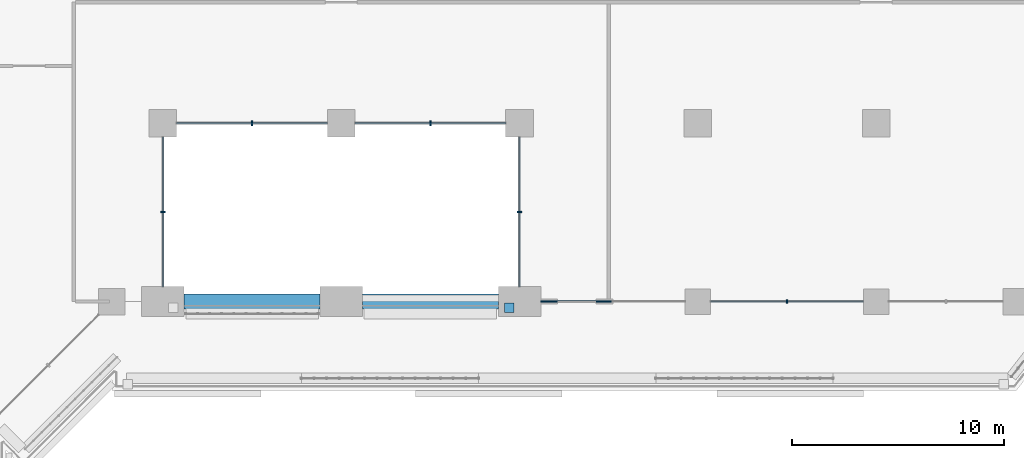
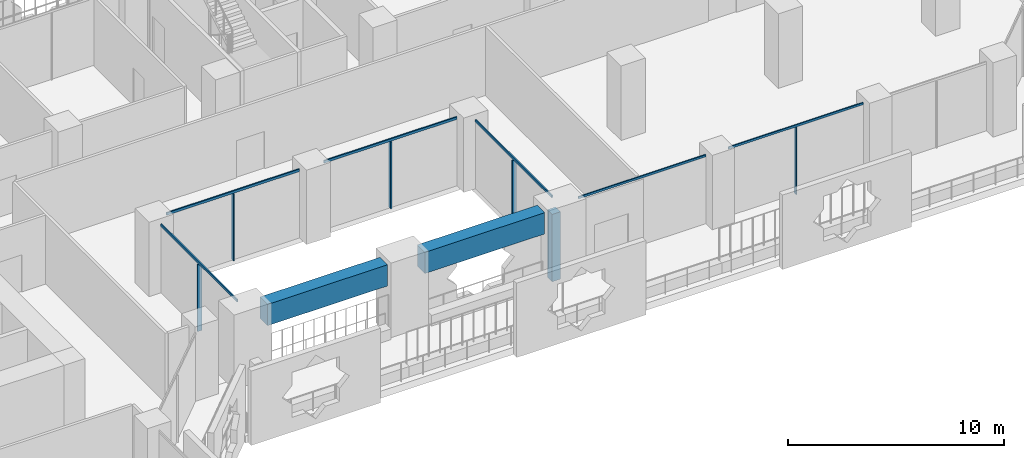
# One storey, part 5 of 27: 12 members, 2 beams, 5 elements without a shape of their own.
"""IFC4 building model written with IfcOpenShell, lengths in metres."""

import ifcopenshell
import ifcopenshell.guid

model = None  # the IFC model being written
_history = None  # IfcOwnerHistory: only IFC2X3 demands one
_inside = {}  # id of a spatial element -> (the spatial element, [elements in it])
_under = {}  # id of a project, library or spatial element -> (it, [spatial elements below it])
_declared = {}  # id of a project -> (the project, [libraries it declares])
_typed = {}  # id of a type object -> (the type object, [elements of that type])
_made_of = {}  # id of a material, layer set ... -> (it, [elements and type objects made of it])


def new_model(schema):
    """Start an empty IFC model of exactly this schema.

    Asked for "IFC4X3", IfcOpenShell would pick the latest addendum, in which some entities
    have other attributes; the version numbers below select the first issue.
    IFC2X3 requires an IfcOwnerHistory on every rooted entity: one is made here for all.
    """
    global model, _history
    if schema == "IFC4X3":
        model = ifcopenshell.file(schema_version=(4, 3, 0, 0))
    else:
        model = ifcopenshell.file(schema=schema)
    _inside.clear()
    _under.clear()
    _declared.clear()
    _typed.clear()
    _made_of.clear()
    _history = None
    if model.schema == "IFC2X3":
        org = make("IfcOrganization", Name="unknown")
        user = make(
            "IfcPersonAndOrganization",
            ThePerson=make("IfcPerson", FamilyName="unknown"),
            TheOrganization=org,
        )
        app = make(
            "IfcApplication",
            ApplicationDeveloper=org,
            Version="unknown",
            ApplicationFullName="unknown",
            ApplicationIdentifier="unknown",
        )
        _history = make(
            "IfcOwnerHistory",
            OwningUser=user,
            OwningApplication=app,
            ChangeAction="ADDED",
            CreationDate=0,
        )
    return model


def make(cls, **values):
    """One entity of the class cls with the attributes given. An attribute that is None is left unset."""
    return model.create_entity(
        cls, **{name: value for name, value in values.items() if value is not None}
    )


def rooted(cls, **values):
    """An entity with a GlobalId (a new one), such as an element, a storey or a relation."""
    return make(cls, GlobalId=ifcopenshell.guid.new(), OwnerHistory=_history, **values)


def si_unit(unit_type, name, prefix=None):
    """IfcSIUnit, for example si_unit("LENGTHUNIT", "METRE", prefix="MILLI")."""
    return make("IfcSIUnit", UnitType=unit_type, Prefix=prefix, Name=name)


def assignment(units):
    """IfcUnitAssignment: the units of a project."""
    return None if units is None else make("IfcUnitAssignment", Units=units)


def point(xyz):
    """IfcCartesianPoint."""
    return None if xyz is None else make("IfcCartesianPoint", Coordinates=xyz)


def direction(xyz):
    """IfcDirection."""
    return None if xyz is None else make("IfcDirection", DirectionRatios=xyz)


def frame(location, z_axis=None, x_axis=None):
    """IfcAxis2Placement3D, a coordinate frame: its origin and axes. An axis left out is left unset."""
    return make(
        "IfcAxis2Placement3D",
        Location=point(location),
        Axis=direction(z_axis),
        RefDirection=direction(x_axis),
    )


def frame_2d(location, x_axis=None):
    """IfcAxis2Placement2D, a coordinate frame in the plane: its origin and x axis."""
    return make(
        "IfcAxis2Placement2D", Location=point(location), RefDirection=direction(x_axis)
    )


def origin():
    """The frame at (0, 0, 0) with its axes left unset."""
    return frame((0.0, 0.0, 0.0))


def origin_2d():
    """The frame at (0, 0) in the plane with its x axis left unset."""
    return frame_2d((0.0, 0.0))


def place(relative_to, where):
    """IfcLocalPlacement: puts the frame where relative to a parent placement (None: the world)."""
    return make(
        "IfcLocalPlacement", PlacementRelTo=relative_to, RelativePlacement=where
    )


def context(
    kind, dimensions, precision=None, world=None, true_north=None, identifier=None
):
    """IfcGeometricRepresentationContext, for example the 3D "Model" context."""
    return make(
        "IfcGeometricRepresentationContext",
        ContextIdentifier=identifier,
        ContextType=kind,
        CoordinateSpaceDimension=dimensions,
        Precision=precision,
        WorldCoordinateSystem=world,
        TrueNorth=true_north,
    )


def subcontext(parent, identifier, kind, view, scale=None):
    """IfcGeometricRepresentationSubContext, for example "Body" below "Model"."""
    return make(
        "IfcGeometricRepresentationSubContext",
        ContextIdentifier=identifier,
        ContextType=kind,
        ParentContext=parent,
        TargetScale=scale,
        TargetView=view,
    )


def project(units=None, contexts=None):
    """IfcProject with its units and contexts."""
    return rooted(
        "IfcProject",
        Name="project",
        RepresentationContexts=contexts,
        UnitsInContext=assignment(units),
    )


def spatial(cls, under=None, at=None, **own):
    """A site, building, storey or space (cls), placed at a placement, below another one or the project."""
    s = rooted(cls, ObjectPlacement=at, **own)
    if under is not None:
        _under.setdefault(under.id(), (under, []))[1].append(s)
    return s


def profile(cls, at=None, kind="AREA", **sizes):
    """A parametric profile (cls). Its sizes go by their IFC names, for example OverallWidth=200.0."""
    return make(cls, ProfileType=kind, Position=at, **sizes)


def rectangle(**sizes):
    """IfcRectangleProfileDef."""
    return profile("IfcRectangleProfileDef", **sizes)


def extrude(swept, where, along, depth):
    """IfcExtrudedAreaSolid: the profile swept, set in the frame where, extruded along a direction by depth."""
    return make(
        "IfcExtrudedAreaSolid",
        SweptArea=swept,
        Position=where,
        ExtrudedDirection=direction(along),
        Depth=depth,
    )


def shape(context_of_items, identifier, shape_type, items):
    """IfcShapeRepresentation: the items that make up one representation, for example the "Body"."""
    return make(
        "IfcShapeRepresentation",
        ContextOfItems=context_of_items,
        RepresentationIdentifier=identifier,
        RepresentationType=shape_type,
        Items=items,
    )


def material(Name=None, Category=None):
    """IfcMaterial."""
    return make("IfcMaterial", Name=Name, Category=Category)


def layer(
    of_material, thickness, ventilated=None, Name=None, Category=None, Priority=None
):
    """IfcMaterialLayer: one layer of a wall or slab, of a material (None: an air gap)."""
    return make(
        "IfcMaterialLayer",
        Material=of_material,
        LayerThickness=thickness,
        IsVentilated=ventilated,
        Name=Name,
        Category=Category,
        Priority=Priority,
    )


def layer_set(layers, Name=None):
    """IfcMaterialLayerSet."""
    return make("IfcMaterialLayerSet", MaterialLayers=layers, LayerSetName=Name)


def material_profile(
    of_material, cross_section, Name=None, Category=None, Priority=None
):
    """IfcMaterialProfile: a cross section and its material."""
    return make(
        "IfcMaterialProfile",
        Name=Name,
        Material=of_material,
        Profile=cross_section,
        Priority=Priority,
        Category=Category,
    )


def profile_set(profiles, Name=None, composite=None):
    """IfcMaterialProfileSet."""
    return make(
        "IfcMaterialProfileSet",
        Name=Name,
        MaterialProfiles=profiles,
        CompositeProfile=composite,
    )


def made_of(thing, what):
    """Note that an element or type object is made of a material, layer set ...; save() writes the relation."""
    if what is not None:
        _made_of.setdefault(what.id(), (what, []))[1].append(thing)
    return thing


def type_object(cls, material=None, **own):
    """A type object (cls), such as IfcWallType, which elements share."""
    return made_of(rooted(cls, **own), material)


def element(
    cls,
    number,
    at=None,
    inside=None,
    cuts=None,
    type_object=None,
    material=None,
    context=None,
    identifier="Body",
    shape_type=None,
    held_by="IfcProductDefinitionShape",
    body=None,
    shapes=None,
    **own,
):
    """One element of the class cls, such as IfcWall. Its Tag is "e" and its number.

    at: its placement. inside: the storey or other place that contains it. cuts: it is an
    opening in that element (IfcRelVoidsElement). A single representation is given by context,
    identifier, shape_type and body (its items); several are given by shapes. held_by: the class
    of the entity that holds the representations. save() writes the other relations.
    """
    e = rooted(cls, Tag="e%d" % number, ObjectPlacement=at, **own)
    if body is not None:
        shapes = [shape(context, identifier, shape_type, body)]
    if shapes is not None:
        e.Representation = make(held_by, Representations=shapes)
    if inside is not None:
        _inside.setdefault(inside.id(), (inside, []))[1].append(e)
    if cuts is not None:
        rooted(
            "IfcRelVoidsElement", RelatingBuildingElement=cuts, RelatedOpeningElement=e
        )
    if type_object is not None:
        _typed.setdefault(type_object.id(), (type_object, []))[1].append(e)
    return made_of(e, material)


def aggregate(whole, parts):
    """IfcRelAggregates: a whole, such as a stair, and the parts it consists of."""
    return rooted("IfcRelAggregates", RelatingObject=whole, RelatedObjects=parts)


def save(model, path):
    """Write the relations noted so far, then the file.

    IfcRelAggregates (storeys below a building ...), IfcRelContainedInSpatialStructure (elements
    in a storey), IfcRelDefinesByType, IfcRelAssociatesMaterial and IfcRelDeclares: one each for
    every whole, place, type object, material and project.
    """
    for whole, parts in _under.values():
        aggregate(whole, parts)
    for where, things in _inside.values():
        rooted(
            "IfcRelContainedInSpatialStructure",
            RelatedElements=things,
            RelatingStructure=where,
        )
    for kind, things in _typed.values():
        rooted("IfcRelDefinesByType", RelatedObjects=things, RelatingType=kind)
    for what, things in _made_of.values():
        rooted("IfcRelAssociatesMaterial", RelatedObjects=things, RelatingMaterial=what)
    for by, libraries in _declared.values():
        rooted("IfcRelDeclares", RelatingContext=by, RelatedDefinitions=libraries)
    model.write(path)


model = new_model("IFC4")

# Units and contexts
model_context = context("Model", 3, precision=1e-05, world=origin(), true_north=direction((0.0, 1.0)))
body_context = subcontext(model_context, "Body", "Model", "MODEL_VIEW")
ifc_project = project(units=[si_unit("LENGTHUNIT", "METRE"), si_unit("AREAUNIT", "SQUARE_METRE"), si_unit("VOLUMEUNIT", "CUBIC_METRE"), si_unit("PLANEANGLEUNIT", "RADIAN"), si_unit("MASSUNIT", "GRAM", prefix="KILO")], contexts=[model_context])

# Site, building, storey
site_placement = place(None, origin())
site = spatial("IfcSite", under=ifc_project, at=site_placement, CompositionType="ELEMENT")
building_placement = place(site_placement, origin())
building = spatial("IfcBuilding", under=site, at=building_placement, Name="Kawkab Arch Medical Tower", CompositionType="ELEMENT")
storey_placement = place(building_placement, frame((0.0, 0.0, 43.39990234375)))
storey = spatial("IfcBuildingStorey", under=building, at=storey_placement, Name="L09", CompositionType="ELEMENT", Elevation=43.39990234375)

# Curtain wall, members
ifc_material_1 = material(Name="Bronze anodised aluminium curtain wall frame", Category="aluminium")
ifc_layer_1 = layer(ifc_material_1, 0.159912109375)
ifc_layer_set_1 = layer_set([ifc_layer_1], Name="Bronze anodised aluminium curtain wall frame")
curtain_wall_type_1 = type_object("IfcCurtainWallType", Name="CW1 ward curtain wall", PredefinedType="NOTDEFINED", material=ifc_layer_set_1)
placement = place(storey_placement, origin())
curtain_wall_1 = element("IfcCurtainWall", 1, at=placement, inside=storey, type_object=curtain_wall_type_1, Name="CW1 Ward curtain wall R05", PredefinedType="NOTDEFINED")
ifc_material_2 = material(Name="Bronze anodised aluminium curtain wall frame", Category="aluminium")
ifc_material_profile_1 = material_profile(ifc_material_2, rectangle(XDim=0.179931640625, YDim=0.06005859375, at=origin_2d()), Name="AL 60x180")
ifc_profile_set_1 = profile_set([ifc_material_profile_1], Name="Bronze anodised aluminium curtain wall frame")
member_type_1 = type_object("IfcMemberType", Name="CW1 mullion 60 x 180", PredefinedType="MULLION", material=ifc_profile_set_1)
member_1_placement = place(storey_placement, frame((63.0, -25.199951171875, 0.0), z_axis=(0.0, 0.0, 1.0), x_axis=(0.0, 1.0, 0.0)))
member_1 = element("IfcMember", 2, at=member_1_placement, type_object=member_type_1, Name="CW1 mullion 2.1", PredefinedType="MULLION", context=body_context, shape_type="SweptSolid", body=[
    extrude(rectangle(XDim=0.179931640625, YDim=0.06005859375, at=origin_2d()), origin(), (0.0, 0.0, 1.0), 3.780029296875),
])
ifc_material_3 = material(Name="Bronze anodised aluminium curtain wall frame", Category="aluminium")
ifc_material_profile_2 = material_profile(ifc_material_3, rectangle(XDim=0.06005859375, YDim=0.1201171875, at=origin_2d()), Name="AL 60x120")
ifc_profile_set_2 = profile_set([ifc_material_profile_2], Name="Bronze anodised aluminium curtain wall frame")
member_type_2 = type_object("IfcMemberType", Name="CW1 transom 120 x 60", PredefinedType="USERDEFINED", material=ifc_profile_set_2)
member_2_placement = place(storey_placement, frame((51.39990234375, -25.199951171875, 3.840087890625), z_axis=(1.0, 0.0, 0.0), x_axis=(0.0, 1.0, 0.0)))
member_2 = element("IfcMember", 3, at=member_2_placement, type_object=member_type_2, Name="CW1 transom 1", ObjectType="TRANSOM", PredefinedType="USERDEFINED", context=body_context, shape_type="SweptSolid", body=[
    extrude(rectangle(XDim=0.06005859375, YDim=0.1201171875, at=origin_2d()), origin(), (0.0, 0.0, 1.0), 6.800048828125),
])
member_3_placement = place(storey_placement, frame((59.39990234375, -25.199951171875, 3.840087890625), z_axis=(1.0, 0.0, 0.0), x_axis=(0.0, 1.0, 0.0)))
member_3 = element("IfcMember", 4, at=member_3_placement, type_object=member_type_2, Name="CW1 transom 2", ObjectType="TRANSOM", PredefinedType="USERDEFINED", context=body_context, shape_type="SweptSolid", body=[
    extrude(rectangle(XDim=0.06005859375, YDim=0.1201171875, at=origin_2d()), origin(), (0.0, 0.0, 1.0), 7.2001953125),
])
aggregate(curtain_wall_1, [member_2, member_3, member_1])

# Curtain wall, member
ifc_material_4 = material(Name="Bronze anodised aluminium curtain wall frame", Category="aluminium")
ifc_layer_2 = layer(ifc_material_4, 0.159912109375)
ifc_layer_set_2 = layer_set([ifc_layer_2], Name="Bronze anodised aluminium curtain wall frame")
curtain_wall_type_2 = type_object("IfcCurtainWallType", Name="CW3 sky garden curtain wall", PredefinedType="NOTDEFINED", material=ifc_layer_set_2)
curtain_wall_2 = element("IfcCurtainWall", 5, at=placement, inside=storey, type_object=curtain_wall_type_2, Name="CW3 Sky garden curtain wall R02", PredefinedType="NOTDEFINED")
ifc_material_5 = material(Name="Bronze anodised aluminium curtain wall frame", Category="aluminium")
ifc_material_profile_3 = material_profile(ifc_material_5, rectangle(XDim=0.219970703125, YDim=0.070068359375, at=origin_2d()), Name="AL 70x220")
ifc_profile_set_3 = profile_set([ifc_material_profile_3], Name="Bronze anodised aluminium curtain wall frame")
member_type_3 = type_object("IfcMemberType", Name="CW3 mullion 70 x 220", PredefinedType="MULLION", material=ifc_profile_set_3)
member_4_placement = place(storey_placement, frame((33.60009765625, -20.97509765625, 0.0), z_axis=(0.0, 0.0, 1.0), x_axis=(-1.0, 0.0, 0.0)))
member_4 = element("IfcMember", 6, at=member_4_placement, type_object=member_type_3, Name="CW3 mullion 1.1", PredefinedType="MULLION", context=body_context, shape_type="SweptSolid", body=[
    extrude(rectangle(XDim=0.219970703125, YDim=0.070068359375, at=origin_2d()), origin(), (0.0, 0.0, 1.0), 3.760009765625),
])

# Curtain wall, members
curtain_wall_3 = element("IfcCurtainWall", 7, at=placement, inside=storey, type_object=curtain_wall_type_2, Name="CW3 Sky garden curtain wall R03", PredefinedType="NOTDEFINED")
member_5_placement = place(storey_placement, frame((37.800048828125, -16.800048828125, 0.0), z_axis=(0.0, 0.0, 1.0), x_axis=(0.0, 1.0, 0.0)))
member_5 = element("IfcMember", 8, at=member_5_placement, type_object=member_type_3, Name="CW3 mullion 1.1", PredefinedType="MULLION", context=body_context, shape_type="SweptSolid", body=[
    extrude(rectangle(XDim=0.219970703125, YDim=0.070068359375, at=origin_2d()), origin(), (0.0, 0.0, 1.0), 3.760009765625),
])
member_6_placement = place(storey_placement, frame((46.199951171875, -16.800048828125, 0.0), z_axis=(0.0, 0.0, 1.0), x_axis=(0.0, 1.0, 0.0)))
member_6 = element("IfcMember", 9, at=member_6_placement, type_object=member_type_3, Name="CW3 mullion 2.1", PredefinedType="MULLION", context=body_context, shape_type="SweptSolid", body=[
    extrude(rectangle(XDim=0.219970703125, YDim=0.070068359375, at=origin_2d()), origin(), (0.0, 0.0, 1.0), 3.760009765625),
])

# Curtain wall, member
curtain_wall_4 = element("IfcCurtainWall", 10, at=placement, inside=storey, type_object=curtain_wall_type_2, Name="CW3 Sky garden curtain wall R04", PredefinedType="NOTDEFINED")
member_7_placement = place(storey_placement, frame((50.39990234375, -20.97509765625, 0.0), z_axis=(0.0, 0.0, 1.0), x_axis=(1.0, 0.0, 0.0)))
member_7 = element("IfcMember", 11, at=member_7_placement, type_object=member_type_3, Name="CW3 mullion 1.1", PredefinedType="MULLION", context=body_context, shape_type="SweptSolid", body=[
    extrude(rectangle(XDim=0.219970703125, YDim=0.070068359375, at=origin_2d()), origin(), (0.0, 0.0, 1.0), 3.760009765625),
])

# Member
ifc_material_6 = material(Name="Bronze anodised aluminium curtain wall frame", Category="aluminium")
ifc_material_profile_4 = material_profile(ifc_material_6, rectangle(XDim=0.070068359375, YDim=0.139892578125, at=origin_2d()), Name="AL 70x140")
ifc_profile_set_4 = profile_set([ifc_material_profile_4], Name="Bronze anodised aluminium curtain wall frame")
member_type_4 = type_object("IfcMemberType", Name="CW3 transom 140 x 70", PredefinedType="USERDEFINED", material=ifc_profile_set_4)
member_8_placement = place(storey_placement, frame((33.60009765625, -24.5, 3.830078125), z_axis=(0.0, 1.0, 0.0), x_axis=(-1.0, 0.0, 0.0)))
member_8 = element("IfcMember", 12, at=member_8_placement, type_object=member_type_4, Name="CW3 transom 1", ObjectType="TRANSOM", PredefinedType="USERDEFINED", context=body_context, shape_type="SweptSolid", body=[
    extrude(rectangle(XDim=0.070068359375, YDim=0.139892578125, at=origin_2d()), origin(), (0.0, 0.0, 1.0), 7.050048828125),
])

aggregate(curtain_wall_2, [member_8, member_4])

member_9_placement = place(storey_placement, frame((34.25, -16.800048828125, 3.830078125), z_axis=(1.0, 0.0, 0.0), x_axis=(0.0, 1.0, 0.0)))
member_9 = element("IfcMember", 13, at=member_9_placement, type_object=member_type_4, Name="CW3 transom 1", ObjectType="TRANSOM", PredefinedType="USERDEFINED", context=body_context, shape_type="SweptSolid", body=[
    extrude(rectangle(XDim=0.070068359375, YDim=0.139892578125, at=origin_2d()), origin(), (0.0, 0.0, 1.0), 7.10009765625),
])

member_10_placement = place(storey_placement, frame((42.64990234375, -16.800048828125, 3.830078125), z_axis=(1.0, 0.0, 0.0), x_axis=(0.0, 1.0, 0.0)))
member_10 = element("IfcMember", 14, at=member_10_placement, type_object=member_type_4, Name="CW3 transom 2", ObjectType="TRANSOM", PredefinedType="USERDEFINED", context=body_context, shape_type="SweptSolid", body=[
    extrude(rectangle(XDim=0.070068359375, YDim=0.139892578125, at=origin_2d()), origin(), (0.0, 0.0, 1.0), 7.10009765625),
])

aggregate(curtain_wall_3, [member_9, member_5, member_10, member_6])

member_11_placement = place(storey_placement, frame((50.39990234375, -17.449951171875, 3.830078125), z_axis=(0.0, -1.0, 0.0), x_axis=(1.0, 0.0, 0.0)))
member_11 = element("IfcMember", 15, at=member_11_placement, type_object=member_type_4, Name="CW3 transom 1", ObjectType="TRANSOM", PredefinedType="USERDEFINED", context=body_context, shape_type="SweptSolid", body=[
    extrude(rectangle(XDim=0.070068359375, YDim=0.139892578125, at=origin_2d()), origin(), (0.0, 0.0, 1.0), 7.050048828125),
])

aggregate(curtain_wall_4, [member_11, member_7])

# Curtain wall, member
ifc_material_7 = material(Name="Bronze anodised aluminium climber frame, planted", Category="aluminium")
ifc_layer_3 = layer(ifc_material_7, 0.449951171875)
ifc_layer_set_3 = layer_set([ifc_layer_3], Name="Bronze anodised aluminium climber frame, planted")
curtain_wall_type_3 = type_object("IfcCurtainWallType", Name="Planted climber frame", PredefinedType="NOTDEFINED", material=ifc_layer_set_3)
curtain_wall_5 = element("IfcCurtainWall", 16, at=placement, inside=storey, type_object=curtain_wall_type_3, Name="Planted climber frame L09", PredefinedType="NOTDEFINED")
ifc_material_8 = material(Name="Bronze anodised aluminium climber frame, planted", Category="aluminium")
ifc_material_profile_5 = material_profile(ifc_material_8, rectangle(XDim=0.449951171875, YDim=0.449951171875, at=origin_2d()), Name="Post 450x450")
ifc_profile_set_5 = profile_set([ifc_material_profile_5], Name="Bronze anodised aluminium climber frame, planted")
member_type_5 = type_object("IfcMemberType", Name="Planted climber post 450 x 450", PredefinedType="MULLION", material=ifc_profile_set_5)
member_12_placement = place(storey_placement, frame((49.919921875, -25.5, 0.0), z_axis=(0.0, 0.0, 1.0), x_axis=(1.0, 0.0, 0.0)))
member_12 = element("IfcMember", 17, at=member_12_placement, type_object=member_type_5, Name="Planted climber post L09.LOG-01-01.2", PredefinedType="MULLION", context=body_context, shape_type="SweptSolid", body=[
    extrude(rectangle(XDim=0.449951171875, YDim=0.449951171875, at=origin_2d()), origin(), (0.0, 0.0, 1.0), 3.800048828125),
])
aggregate(curtain_wall_5, [member_12])

# Beams
ifc_material_9 = material(Name="Concrete C60/75", Category="concrete")
ifc_material_profile_6 = material_profile(ifc_material_9, rectangle(XDim=0.699951171875, YDim=1.199951171875, at=origin_2d()), Name="RC 700x1200")
ifc_profile_set_6 = profile_set([ifc_material_profile_6], Name="Concrete C60/75")
beam_type = type_object("IfcBeamType", Name="RC 700x1200 beam C60/75", PredefinedType="BEAM", material=ifc_profile_set_6)
for number, where, z_axis, x_axis, name in (
    (18, (49.39990234375, -25.199951171875, 3.300048828125), (-1.0, 0.0, 0.0), (0.0, -1.0, 0.0), "Terrace frame beam TF-L08-1-L10-01"),
    (19, (41.0, -25.199951171875, 3.300048828125), (-1.0, 0.0, 0.0), (0.0, -1.0, 0.0), "Terrace frame beam TF-L08-1-L10-02"),
):
    element("IfcBeam", number, at=place(storey_placement, frame(where, z_axis=z_axis, x_axis=x_axis)), inside=storey, type_object=beam_type, Name=name, PredefinedType="BEAM", context=body_context, shape_type="SweptSolid", body=[
        extrude(rectangle(XDim=0.699951171875, YDim=1.199951171875, at=origin_2d()), origin(), (0.0, 0.0, 1.0), 6.39990234375),
    ])

save(model, "model.ifc")
